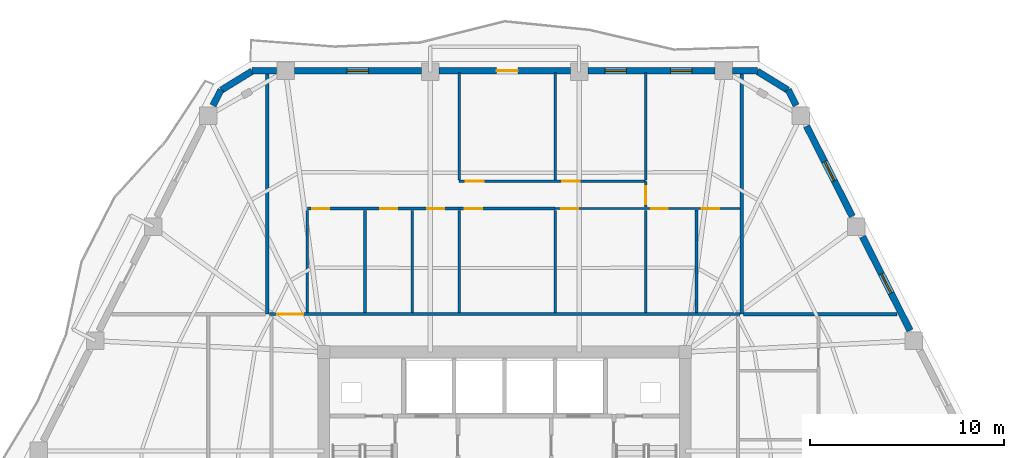
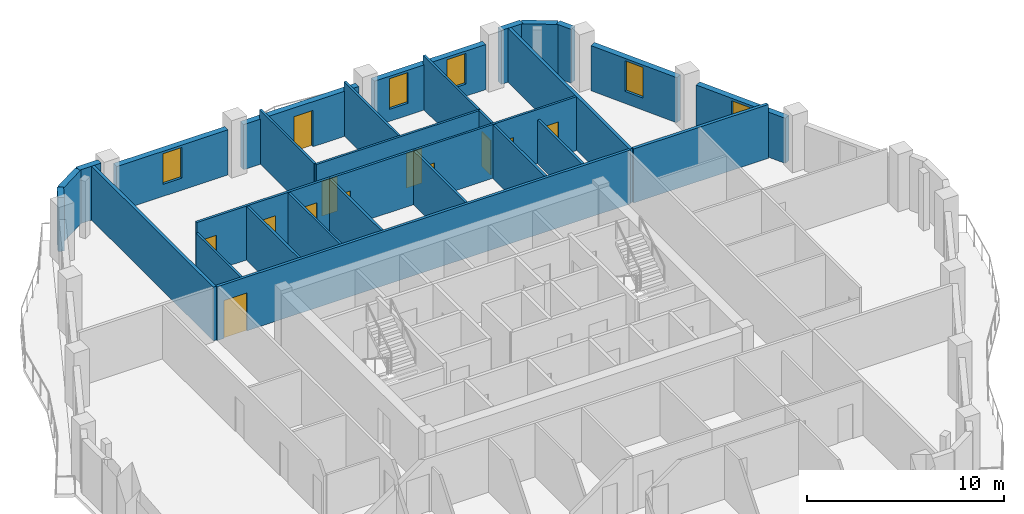
# One storey, part 7 of 10: 30 walls, 12 doors, 5 windows, 17 openings.
"""IFC4 building model written with IfcOpenShell, lengths in metres."""

from ifc_helpers import new_model, si_unit, direction, frame, frame_2d, origin, place, context, subcontext, project, spatial, rectangle, extrude, material, layer, layer_set, type_object, element, fill, save


model = new_model("IFC4")

# Units and contexts
model_context = context("Model", 3, precision=1e-05, world=origin(), true_north=direction((0.0, 1.0)))
body_context = subcontext(model_context, "Body", "Model", "MODEL_VIEW")
ifc_project = project(units=[si_unit("LENGTHUNIT", "METRE"), si_unit("AREAUNIT", "SQUARE_METRE"), si_unit("VOLUMEUNIT", "CUBIC_METRE"), si_unit("PLANEANGLEUNIT", "RADIAN"), si_unit("MASSUNIT", "GRAM", prefix="KILO")], contexts=[model_context])

# Site, building, storey
site_placement = place(None, origin())
site = spatial("IfcSite", under=ifc_project, at=site_placement, CompositionType="ELEMENT")
building_placement = place(site_placement, origin())
building = spatial("IfcBuilding", under=site, at=building_placement, Name="Cinnabar Lancet Tower", CompositionType="ELEMENT")
storey_placement = place(building_placement, frame((0.0, 0.0, 164.14990234375)))
storey = spatial("IfcBuildingStorey", under=building, at=storey_placement, Name="L43", CompositionType="ELEMENT", Elevation=164.14990234375)

# Wall, opening, door
ifc_material_1 = material(Name="Acoustic twin-stud gypsum partition", Category="gypsum")
ifc_layer_1 = layer(ifc_material_1, 0.159912109375)
ifc_layer_set_1 = layer_set([ifc_layer_1], Name="Acoustic twin-stud gypsum partition")
wall_type_1 = type_object("IfcWallType", Name="ARC-WL-CORR-160", PredefinedType="PARTITIONING", material=ifc_layer_set_1)
wall_1_placement = place(storey_placement, frame((20.294921875, 35.14990234375, 0.0), z_axis=(0.0, 0.0, 1.0), x_axis=(1.0, 0.0, 0.0)))
wall_1 = element("IfcWall", 1, at=wall_1_placement, inside=storey, type_object=wall_type_1, Name="L43 Unit N01 Corridor Wall", PredefinedType="PARTITIONING", context=body_context, shape_type="SweptSolid", body=[
    extrude(rectangle(XDim=24.2099609375, YDim=0.159912109375, at=frame_2d((12.10498046875, 0.0))), origin(), (0.0, 0.0, 1.0), 3.340087890625),
])
opening_1_placement = place(wall_1_placement, frame((0.405029296875, 0.0, 0.0)))
opening_1 = element("IfcOpeningElement", 2, at=opening_1_placement, cuts=wall_1, Name="Opening UD-02", PredefinedType="OPENING", context=body_context, shape_type="SweptSolid", body=[
    extrude(rectangle(XDim=1.35009765625, YDim=2.35009765625, at=frame_2d((0.675048828125, 1.175048828125))), frame((0.0, 0.08984375, 0.0), z_axis=(0.0, -1.0, 0.0), x_axis=(1.0, 0.0, 0.0)), (0.0, 0.0, 1.0), 0.179931640625),
])
ifc_material_2 = material(Name="Double-leaf solid timber penthouse entrance door", Category="wood")
door_type_1 = type_object("IfcDoorType", Name="ARC-DR-UNIT-PH", OperationType="NOTDEFINED", PredefinedType="DOOR", material=ifc_material_2)
door_1_placement = place(opening_1_placement, origin())
door_1 = element("IfcDoor", 3, at=door_1_placement, inside=storey, type_object=door_type_1, Name="DR-L43-N01-ENT", OperationType="SINGLE_SWING_LEFT", OverallHeight=2.35009765625, OverallWidth=1.35009765625, PredefinedType="DOOR", context=body_context, shape_type="SweptSolid", body=[
    extrude(rectangle(XDim=1.35009765625, YDim=2.35009765625, at=frame_2d((0.675048828125, 1.175048828125))), frame((0.0, 0.02490234375, 0.0), z_axis=(0.0, -1.0, 0.0), x_axis=(1.0, 0.0, 0.0)), (0.0, 0.0, 1.0), 0.050048828125),
])
fill(opening_1, door_1)

# Walls
ifc_material_3 = material(Name="Fire-rated twin-frame acoustic drywall", Category="gypsum")
ifc_layer_2 = layer(ifc_material_3, 0.179931640625)
ifc_layer_set_2 = layer_set([ifc_layer_2], Name="Fire-rated twin-frame acoustic drywall")
wall_type_2 = type_object("IfcWallType", Name="ARC-WL-PARTY-180", PredefinedType="PARTITIONING", material=ifc_layer_set_2)
for number, where, z_axis, x_axis, name in (
    (4, (20.199951171875, 35.14990234375, 0.0), (0.0, 0.0, 1.0), (0.0, 1.0, 0.0), "PW-L43-NPTY-202"),
    (5, (44.60009765625, 35.14990234375, 0.0), (0.0, 0.0, 1.0), (0.0, 1.0, 0.0), "PW-L43-NPTY-446"),
):
    element("IfcWall", number, at=place(storey_placement, frame(where, z_axis=z_axis, x_axis=x_axis)), inside=storey, type_object=wall_type_2, Name=name, PredefinedType="PARTITIONING", context=body_context, shape_type="SweptSolid", body=[
        extrude(rectangle(XDim=12.34521484375, YDim=0.179931640625, at=frame_2d((6.172607421875, 0.0))), origin(), (0.0, 0.0, 1.0), 3.340087890625),
    ])
wall_2_placement = place(storey_placement, frame((44.695068359375, 35.14990234375, 0.0), z_axis=(0.0, 0.0, 1.0), x_axis=(1.0, 0.0, 0.0)))
element("IfcWall", 6, at=wall_2_placement, inside=storey, type_object=wall_type_2, Name="PW-L43-ENB", PredefinedType="PARTITIONING", context=body_context, shape_type="SweptSolid", body=[
    extrude(rectangle(XDim=7.89501953125, YDim=0.179931640625, at=frame_2d((3.947509765625, 0.0))), origin(), (0.0, 0.0, 1.0), 3.340087890625),
])
ifc_material_4 = material(Name="Gypsum plasterboard stud partition", Category="gypsum")
ifc_layer_3 = layer(ifc_material_4, 0.125)
ifc_layer_set_3 = layer_set([ifc_layer_3], Name="Gypsum plasterboard stud partition")
wall_type_3 = type_object("IfcWallType", Name="ARC-WL-UNIT-125", PredefinedType="PARTITIONING", material=ifc_layer_set_3)
wall_3_placement = place(storey_placement, frame((22.25, 35.235107421875, 0.0), z_axis=(0.0, 0.0, 1.0), x_axis=(0.0, 1.0, 0.0)))
element("IfcWall", 7, at=wall_3_placement, inside=storey, type_object=wall_type_3, Name="UW-L43-N01-FOYE", PredefinedType="PARTITIONING", context=body_context, shape_type="SweptSolid", body=[
    extrude(rectangle(XDim=5.241943359375, YDim=0.125, at=frame_2d((2.62109375, 0.0))), origin(), (0.0, 0.0, 1.0), 2.72216796875),
])

# Wall, openings, doors
wall_4_placement = place(storey_placement, frame((35.0048828125, 40.58203125, 0.0), z_axis=(0.0, 0.0, 1.0), x_axis=(1.0, 0.0, 0.0)))
wall_4 = element("IfcWall", 8, at=wall_4_placement, inside=storey, type_object=wall_type_3, Name="UW-L43-N01-SP2", PredefinedType="PARTITIONING", context=body_context, shape_type="SweptSolid", body=[
    extrude(rectangle(XDim=9.5, YDim=0.125, at=frame_2d((4.75, 0.0))), origin(), (0.0, 0.0, 1.0), 3.340087890625),
])
opening_2_placement = place(wall_4_placement, frame((4.931884765625, 0.0, 0.0)))
opening_2 = element("IfcOpeningElement", 9, at=opening_2_placement, cuts=wall_4, Name="Opening BD-01", PredefinedType="OPENING", context=body_context, shape_type="SweptSolid", body=[
    extrude(rectangle(XDim=0.860107421875, YDim=2.10009765625, at=frame_2d((0.43017578125, 1.050048828125))), frame((0.0, 0.072509765625, 0.0), z_axis=(0.0, -1.0, 0.0), x_axis=(1.0, 0.0, 0.0)), (0.0, 0.0, 1.0), 0.14501953125),
])
opening_3_placement = place(wall_4_placement, frame((7.550048828125, 0.0, 0.0)))
opening_3 = element("IfcOpeningElement", 10, at=opening_3_placement, cuts=wall_4, Name="Opening RD-02", PredefinedType="OPENING", context=body_context, shape_type="SweptSolid", body=[
    extrude(rectangle(XDim=0.8798828125, YDim=2.14990234375, at=frame_2d((0.43994140625, 1.074951171875))), frame((0.0, 0.072509765625, 0.0), z_axis=(0.0, -1.0, 0.0), x_axis=(1.0, 0.0, 0.0)), (0.0, 0.0, 1.0), 0.14501953125),
])
opening_4_placement = place(wall_4_placement, frame((0.300048828125, 0.0, 0.0)))
opening_4 = element("IfcOpeningElement", 11, at=opening_4_placement, cuts=wall_4, Name="Opening RD-02", PredefinedType="OPENING", context=body_context, shape_type="SweptSolid", body=[
    extrude(rectangle(XDim=0.8798828125, YDim=2.14990234375, at=frame_2d((0.43994140625, 1.074951171875))), frame((0.0, 0.072509765625, 0.0), z_axis=(0.0, -1.0, 0.0), x_axis=(1.0, 0.0, 0.0)), (0.0, 0.0, 1.0), 0.14501953125),
])
ifc_material_5 = material(Name="Moisture-resistant timber bathroom door", Category="wood")
door_type_2 = type_object("IfcDoorType", Name="ARC-DR-BATH", OperationType="NOTDEFINED", PredefinedType="DOOR", material=ifc_material_5)
door_2_placement = place(opening_2_placement, origin())
door_2 = element("IfcDoor", 12, at=door_2_placement, inside=storey, type_object=door_type_2, Name="DR-L43-N01-ENS", OperationType="SINGLE_SWING_RIGHT", OverallHeight=2.10009765625, OverallWidth=0.860107421875, PredefinedType="DOOR", context=body_context, shape_type="SweptSolid", body=[
    extrude(rectangle(XDim=0.860107421875, YDim=2.10009765625, at=frame_2d((0.43017578125, 1.050048828125))), frame((0.0, 0.02490234375, 0.0), z_axis=(0.0, -1.0, 0.0), x_axis=(1.0, 0.0, 0.0)), (0.0, 0.0, 1.0), 0.050048828125),
])
fill(opening_2, door_2)
ifc_material_6 = material(Name="Engineered timber study door", Category="wood")
door_type_3 = type_object("IfcDoorType", Name="ARC-DR-STUDY", OperationType="NOTDEFINED", PredefinedType="DOOR", material=ifc_material_6)
door_3_placement = place(opening_3_placement, origin())
door_3 = element("IfcDoor", 13, at=door_3_placement, inside=storey, type_object=door_type_3, Name="DR-L43-N01-ENS-WDR", OperationType="SINGLE_SWING_LEFT", OverallHeight=2.14990234375, OverallWidth=0.8798828125, PredefinedType="DOOR", context=body_context, shape_type="SweptSolid", body=[
    extrude(rectangle(XDim=0.8798828125, YDim=2.14990234375, at=frame_2d((0.43994140625, 1.074951171875))), frame((0.0, 0.02490234375, 0.0), z_axis=(0.0, -1.0, 0.0), x_axis=(1.0, 0.0, 0.0)), (0.0, 0.0, 1.0), 0.050048828125),
])
fill(opening_3, door_3)
door_4_placement = place(opening_4_placement, origin())
door_4 = element("IfcDoor", 14, at=door_4_placement, inside=storey, type_object=door_type_3, Name="DR-L43-N01-DRS", OperationType="SINGLE_SWING_LEFT", OverallHeight=2.14990234375, OverallWidth=0.8798828125, PredefinedType="DOOR", context=body_context, shape_type="SweptSolid", body=[
    extrude(rectangle(XDim=0.8798828125, YDim=2.14990234375, at=frame_2d((0.43994140625, 1.074951171875))), frame((0.0, 0.02490234375, 0.0), z_axis=(0.0, -1.0, 0.0), x_axis=(1.0, 0.0, 0.0)), (0.0, 0.0, 1.0), 0.050048828125),
])
fill(opening_4, door_4)

# Walls
wall_5_placement = place(storey_placement, frame((27.639892578125, 35.235107421875, 0.0), z_axis=(0.0, 0.0, 1.0), x_axis=(0.0, 1.0, 0.0)))
element("IfcWall", 15, at=wall_5_placement, inside=storey, type_object=wall_type_3, Name="UW-L43-N01-STD", PredefinedType="PARTITIONING", context=body_context, shape_type="SweptSolid", body=[
    extrude(rectangle(XDim=5.241943359375, YDim=0.125, at=frame_2d((2.62109375, 0.0))), origin(), (0.0, 0.0, 1.0), 3.340087890625),
])
wall_6_placement = place(storey_placement, frame((30.06201171875, 42.047119140625, 0.0), z_axis=(0.0, 0.0, 1.0), x_axis=(0.0, 1.0, 0.0)))
element("IfcWall", 16, at=wall_6_placement, inside=storey, type_object=wall_type_3, Name="UW-L43-N01-BD2W", PredefinedType="PARTITIONING", context=body_context, shape_type="SweptSolid", body=[
    extrude(rectangle(XDim=5.537841796875, YDim=0.125, at=frame_2d((2.76904296875, 0.0))), origin(), (0.0, 0.0, 1.0), 3.340087890625),
])

# Wall, openings, doors
wall_7_placement = place(storey_placement, frame((30.06201171875, 41.98193359375, 0.0), z_axis=(0.0, 0.0, 1.0), x_axis=(1.0, 0.0, 0.0)))
wall_7 = element("IfcWall", 17, at=wall_7_placement, inside=storey, type_object=wall_type_3, Name="UW-L43-N01-HLN", PredefinedType="PARTITIONING", context=body_context, shape_type="SweptSolid", body=[
    extrude(rectangle(XDim=9.594970703125, YDim=0.125, at=frame_2d((4.79736328125, 0.0))), origin(), (0.0, 0.0, 1.0), 3.340087890625),
])
opening_5_placement = place(wall_7_placement, frame((0.35009765625, 0.0, 0.0)))
opening_5 = element("IfcOpeningElement", 18, at=opening_5_placement, cuts=wall_7, Name="Opening RD-01", PredefinedType="OPENING", context=body_context, shape_type="SweptSolid", body=[
    extrude(rectangle(XDim=0.919921875, YDim=2.14990234375, at=frame_2d((0.4599609375, 1.074951171875))), frame((0.0, 0.072509765625, 0.0), z_axis=(0.0, -1.0, 0.0), x_axis=(1.0, 0.0, 0.0)), (0.0, 0.0, 1.0), 0.14501953125),
])
opening_6_placement = place(wall_7_placement, frame((5.29296875, 0.0, 0.0)))
opening_6 = element("IfcOpeningElement", 19, at=opening_6_placement, cuts=wall_7, Name="Opening RD-01", PredefinedType="OPENING", context=body_context, shape_type="SweptSolid", body=[
    extrude(rectangle(XDim=0.919921875, YDim=2.14990234375, at=frame_2d((0.4599609375, 1.074951171875))), frame((0.0, 0.072509765625, 0.0), z_axis=(0.0, -1.0, 0.0), x_axis=(1.0, 0.0, 0.0)), (0.0, 0.0, 1.0), 0.14501953125),
])
ifc_material_7 = material(Name="Engineered timber bedroom door", Category="wood")
door_type_4 = type_object("IfcDoorType", Name="ARC-DR-ROOM", OperationType="NOTDEFINED", PredefinedType="DOOR", material=ifc_material_7)
door_5_placement = place(opening_5_placement, origin())
door_5 = element("IfcDoor", 20, at=door_5_placement, inside=storey, type_object=door_type_4, Name="DR-L43-N01-BD2", OperationType="SINGLE_SWING_RIGHT", OverallHeight=2.14990234375, OverallWidth=0.919921875, PredefinedType="DOOR", context=body_context, shape_type="SweptSolid", body=[
    extrude(rectangle(XDim=0.919921875, YDim=2.14990234375, at=frame_2d((0.4599609375, 1.074951171875))), frame((0.0, 0.02490234375, 0.0), z_axis=(0.0, -1.0, 0.0), x_axis=(1.0, 0.0, 0.0)), (0.0, 0.0, 1.0), 0.050048828125),
])
fill(opening_5, door_5)
door_6_placement = place(opening_6_placement, origin())
door_6 = element("IfcDoor", 21, at=door_6_placement, inside=storey, type_object=door_type_4, Name="DR-L43-N01-BD3", OperationType="SINGLE_SWING_LEFT", OverallHeight=2.14990234375, OverallWidth=0.919921875, PredefinedType="DOOR", context=body_context, shape_type="SweptSolid", body=[
    extrude(rectangle(XDim=0.919921875, YDim=2.14990234375, at=frame_2d((0.4599609375, 1.074951171875))), frame((0.0, 0.02490234375, 0.0), z_axis=(0.0, -1.0, 0.0), x_axis=(1.0, 0.0, 0.0)), (0.0, 0.0, 1.0), 0.050048828125),
])
fill(opening_6, door_6)

# Wall, opening, door
wall_8_placement = place(storey_placement, frame((39.656982421875, 40.652099609375, 0.0), z_axis=(0.0, 0.0, 1.0), x_axis=(0.0, 1.0, 0.0)))
wall_8 = element("IfcWall", 22, at=wall_8_placement, inside=storey, type_object=wall_type_3, Name="UW-L43-N01-MBE", PredefinedType="PARTITIONING", context=body_context, shape_type="SweptSolid", body=[
    extrude(rectangle(XDim=1.329833984375, YDim=0.125, at=frame_2d((0.6650390625, 0.0))), origin(), (0.0, 0.0, 1.0), 3.340087890625),
])
opening_7_placement = place(wall_8_placement, frame((0.159912109375, 0.0, 0.0)))
opening_7 = element("IfcOpeningElement", 23, at=opening_7_placement, cuts=wall_8, Name="Opening RD-01", PredefinedType="OPENING", context=body_context, shape_type="SweptSolid", body=[
    extrude(rectangle(XDim=0.919921875, YDim=2.14990234375, at=frame_2d((0.4599609375, 1.074951171875))), frame((0.0, 0.072509765625, 0.0), z_axis=(0.0, -1.0, 0.0), x_axis=(1.0, 0.0, 0.0)), (0.0, 0.0, 1.0), 0.14501953125),
])
door_7_placement = place(opening_7_placement, origin())
door_7 = element("IfcDoor", 24, at=door_7_placement, inside=storey, type_object=door_type_4, Name="DR-L43-N01-MBD", OperationType="SINGLE_SWING_RIGHT", OverallHeight=2.14990234375, OverallWidth=0.919921875, PredefinedType="DOOR", context=body_context, shape_type="SweptSolid", body=[
    extrude(rectangle(XDim=0.919921875, YDim=2.14990234375, at=frame_2d((0.4599609375, 1.074951171875))), frame((0.0, 0.02490234375, 0.0), z_axis=(0.0, -1.0, 0.0), x_axis=(1.0, 0.0, 0.0)), (0.0, 0.0, 1.0), 0.050048828125),
])
fill(opening_7, door_7)

# Walls
for number, where, z_axis, x_axis, name in (
    (25, (35.0048828125, 42.047119140625, 0.0), (0.0, 0.0, 1.0), (0.0, 1.0, 0.0), "UW-L43-N01-MB2W"),
    (26, (39.656982421875, 42.047119140625, 0.0), (0.0, 0.0, 1.0), (0.0, 1.0, 0.0), "UW-L43-N01-B23W"),
):
    element("IfcWall", number, at=place(storey_placement, frame(where, z_axis=z_axis, x_axis=x_axis)), inside=storey, type_object=wall_type_3, Name=name, PredefinedType="PARTITIONING", context=body_context, shape_type="SweptSolid", body=[
        extrude(rectangle(XDim=5.537841796875, YDim=0.125, at=frame_2d((2.76904296875, 0.0))), origin(), (0.0, 0.0, 1.0), 3.340087890625),
    ])

# Wall, openings, doors
ifc_material_8 = material(Name="Moisture-resistant cement-board plumbing wall", Category="masonry")
ifc_layer_4 = layer(ifc_material_8, 0.139892578125)
ifc_layer_set_4 = layer_set([ifc_layer_4], Name="Moisture-resistant cement-board plumbing wall")
wall_type_4 = type_object("IfcWallType", Name="ARC-WL-WET-140", PredefinedType="PLUMBINGWALL", material=ifc_layer_set_4)
wall_9_placement = place(storey_placement, frame((22.25, 40.58203125, 0.0), z_axis=(0.0, 0.0, 1.0), x_axis=(1.0, 0.0, 0.0)))
wall_9 = element("IfcWall", 27, at=wall_9_placement, inside=storey, type_object=wall_type_4, Name="UW-L43-N01-SPL", PredefinedType="PLUMBINGWALL", context=body_context, shape_type="SweptSolid", body=[
    extrude(rectangle(XDim=7.81201171875, YDim=0.139892578125, at=frame_2d((3.906005859375, 0.0))), origin(), (0.0, 0.0, 1.0), 3.340087890625),
])
opening_8_placement = place(wall_9_placement, frame((6.176025390625, 0.0, 0.0)))
opening_8 = element("IfcOpeningElement", 28, at=opening_8_placement, cuts=wall_9, Name="Opening BD-01", PredefinedType="OPENING", context=body_context, shape_type="SweptSolid", body=[
    extrude(rectangle(XDim=0.860107421875, YDim=2.10009765625, at=frame_2d((0.43017578125, 1.050048828125))), frame((0.0, 0.079833984375, 0.0), z_axis=(0.0, -1.0, 0.0), x_axis=(1.0, 0.0, 0.0)), (0.0, 0.0, 1.0), 0.159912109375),
])
opening_9_placement = place(wall_9_placement, frame((0.260009765625, 0.0, 0.0)))
opening_9 = element("IfcOpeningElement", 29, at=opening_9_placement, cuts=wall_9, Name="Opening RD-02", PredefinedType="OPENING", context=body_context, shape_type="SweptSolid", body=[
    extrude(rectangle(XDim=0.8798828125, YDim=2.14990234375, at=frame_2d((0.43994140625, 1.074951171875))), frame((0.0, 0.079833984375, 0.0), z_axis=(0.0, -1.0, 0.0), x_axis=(1.0, 0.0, 0.0)), (0.0, 0.0, 1.0), 0.159912109375),
])
opening_10_placement = place(wall_9_placement, frame((3.739990234375, 0.0, 0.0)))
opening_10 = element("IfcOpeningElement", 30, at=opening_10_placement, cuts=wall_9, Name="Opening RD-02", PredefinedType="OPENING", context=body_context, shape_type="SweptSolid", body=[
    extrude(rectangle(XDim=0.8798828125, YDim=2.14990234375, at=frame_2d((0.43994140625, 1.074951171875))), frame((0.0, 0.079833984375, 0.0), z_axis=(0.0, -1.0, 0.0), x_axis=(1.0, 0.0, 0.0)), (0.0, 0.0, 1.0), 0.159912109375),
])
door_8_placement = place(opening_8_placement, origin())
door_8 = element("IfcDoor", 31, at=door_8_placement, inside=storey, type_object=door_type_2, Name="DR-L43-N01-BTH", OperationType="SINGLE_SWING_RIGHT", OverallHeight=2.10009765625, OverallWidth=0.860107421875, PredefinedType="DOOR", context=body_context, shape_type="SweptSolid", body=[
    extrude(rectangle(XDim=0.860107421875, YDim=2.10009765625, at=frame_2d((0.43017578125, 1.050048828125))), frame((0.0, 0.02490234375, 0.0), z_axis=(0.0, -1.0, 0.0), x_axis=(1.0, 0.0, 0.0)), (0.0, 0.0, 1.0), 0.050048828125),
])
fill(opening_8, door_8)
door_9_placement = place(opening_9_placement, origin())
door_9 = element("IfcDoor", 32, at=door_9_placement, inside=storey, type_object=door_type_3, Name="DR-L43-N01-KIT", OperationType="SINGLE_SWING_RIGHT", OverallHeight=2.14990234375, OverallWidth=0.8798828125, PredefinedType="DOOR", context=body_context, shape_type="SweptSolid", body=[
    extrude(rectangle(XDim=0.8798828125, YDim=2.14990234375, at=frame_2d((0.43994140625, 1.074951171875))), frame((0.0, 0.02490234375, 0.0), z_axis=(0.0, -1.0, 0.0), x_axis=(1.0, 0.0, 0.0)), (0.0, 0.0, 1.0), 0.050048828125),
])
fill(opening_9, door_9)
door_10_placement = place(opening_10_placement, origin())
door_10 = element("IfcDoor", 33, at=door_10_placement, inside=storey, type_object=door_type_3, Name="DR-L43-N01-STD", OperationType="SINGLE_SWING_LEFT", OverallHeight=2.14990234375, OverallWidth=0.8798828125, PredefinedType="DOOR", context=body_context, shape_type="SweptSolid", body=[
    extrude(rectangle(XDim=0.8798828125, YDim=2.14990234375, at=frame_2d((0.43994140625, 1.074951171875))), frame((0.0, 0.02490234375, 0.0), z_axis=(0.0, -1.0, 0.0), x_axis=(1.0, 0.0, 0.0)), (0.0, 0.0, 1.0), 0.050048828125),
])
fill(opening_10, door_10)

# Wall, opening, door
wall_10_placement = place(storey_placement, frame((30.06201171875, 40.58203125, 0.0), z_axis=(0.0, 0.0, 1.0), x_axis=(1.0, 0.0, 0.0)))
wall_10 = element("IfcWall", 34, at=wall_10_placement, inside=storey, type_object=wall_type_4, Name="UW-L43-N01-SPM", PredefinedType="PLUMBINGWALL", context=body_context, shape_type="SweptSolid", body=[
    extrude(rectangle(XDim=4.94287109375, YDim=0.139892578125, at=frame_2d((2.471435546875, 0.0))), origin(), (0.0, 0.0, 1.0), 3.340087890625),
])
opening_11_placement = place(wall_10_placement, frame((0.300048828125, 0.0, 0.0)))
opening_11 = element("IfcOpeningElement", 35, at=opening_11_placement, cuts=wall_10, Name="Opening RD-02", PredefinedType="OPENING", context=body_context, shape_type="SweptSolid", body=[
    extrude(rectangle(XDim=0.8798828125, YDim=2.14990234375, at=frame_2d((0.43994140625, 1.074951171875))), frame((0.0, 0.079833984375, 0.0), z_axis=(0.0, -1.0, 0.0), x_axis=(1.0, 0.0, 0.0)), (0.0, 0.0, 1.0), 0.159912109375),
])
door_11_placement = place(opening_11_placement, origin())
door_11 = element("IfcDoor", 36, at=door_11_placement, inside=storey, type_object=door_type_3, Name="DR-L43-N01-UTL", OperationType="SINGLE_SWING_LEFT", OverallHeight=2.14990234375, OverallWidth=0.8798828125, PredefinedType="DOOR", context=body_context, shape_type="SweptSolid", body=[
    extrude(rectangle(XDim=0.8798828125, YDim=2.14990234375, at=frame_2d((0.43994140625, 1.074951171875))), frame((0.0, 0.02490234375, 0.0), z_axis=(0.0, -1.0, 0.0), x_axis=(1.0, 0.0, 0.0)), (0.0, 0.0, 1.0), 0.050048828125),
])
fill(opening_11, door_11)

# Walls
for number, where, z_axis, x_axis, name in (
    (37, (25.218994140625, 35.235107421875, 0.0), (0.0, 0.0, 1.0), (0.0, 1.0, 0.0), "UW-L43-N01-KDV"),
    (38, (30.06201171875, 35.235107421875, 0.0), (0.0, 0.0, 1.0), (0.0, 1.0, 0.0), "UW-L43-N01-ENSW"),
    (39, (35.0048828125, 35.235107421875, 0.0), (0.0, 0.0, 1.0), (0.0, 1.0, 0.0), "UW-L43-N01-ENSE"),
    (40, (39.656982421875, 35.235107421875, 0.0), (0.0, 0.0, 1.0), (0.0, 1.0, 0.0), "UW-L43-N01-UT3"),
):
    element("IfcWall", number, at=place(storey_placement, frame(where, z_axis=z_axis, x_axis=x_axis)), inside=storey, type_object=wall_type_4, Name=name, PredefinedType="PLUMBINGWALL", context=body_context, shape_type="SweptSolid", body=[
        extrude(rectangle(XDim=5.241943359375, YDim=0.139892578125, at=frame_2d((2.62109375, 0.0))), origin(), (0.0, 0.0, 1.0), 3.340087890625),
    ])
wall_11_placement = place(storey_placement, frame((42.27490234375, 35.235107421875, 0.0), z_axis=(0.0, 0.0, 1.0), x_axis=(0.0, 1.0, 0.0)))
element("IfcWall", 41, at=wall_11_placement, inside=storey, type_object=wall_type_4, Name="UW-L43-N01-ENS-WDV", PredefinedType="PLUMBINGWALL", context=body_context, shape_type="SweptSolid", body=[
    extrude(rectangle(XDim=5.261962890625, YDim=0.139892578125, at=frame_2d((2.630859375, 0.0))), origin(), (0.0, 0.0, 1.0), 2.72216796875),
])
ifc_material_9 = material(Name="Cinnabar red clay brick", Category="masonry")
ifc_layer_5 = layer(ifc_material_9, 0.340087890625)
ifc_layer_set_5 = layer_set([ifc_layer_5], Name="Cinnabar red clay brick")
wall_type_5 = type_object("IfcWallType", Name="ENV-WL-BRK-RED-340", PredefinedType="STANDARD", material=ifc_layer_set_5)
for number, where, z_axis, x_axis, name in (
    (42, (46.970947265625, 46.677001953125, 0.0), (0.0, 0.0, 1.0), (-0.851798915137, 0.523868884523, 0.0), "L43 Chamfered Corner Brick Pier 4.1"),
    (43, (19.403076171875, 47.64501953125, 0.0), (0.0, 0.0, 1.0), (-0.851798915137, -0.523868884523, 0.0), "L43 Chamfered Corner Brick Pier 5.1"),
):
    element("IfcWall", number, at=place(storey_placement, frame(where, z_axis=z_axis, x_axis=x_axis)), inside=storey, type_object=wall_type_5, Name=name, PredefinedType="STANDARD", context=body_context, shape_type="SweptSolid", body=[
        extrude(rectangle(XDim=1.847900390625, YDim=0.340087890625, at=frame_2d((0.923828125, 0.0))), origin(), (0.0, 0.0, 1.0), 3.340087890625),
    ])

# Wall, opening, window
wall_12_placement = place(storey_placement, frame((53.258056640625, 34.306884765625, 0.0), z_axis=(0.0, 0.0, 1.0), x_axis=(-0.451491174807, 0.892275584711, 0.0)))
wall_12 = element("IfcWall", 44, at=wall_12_placement, inside=storey, type_object=wall_type_5, Name="L43 Face 3 Masonry Bay Wall 3", PredefinedType="STANDARD", context=body_context, shape_type="SweptSolid", body=[
    extrude(rectangle(XDim=5.404296875, YDim=0.340087890625, at=frame_2d((2.7021484375, 0.0))), origin(), (0.0, 0.0, 1.0), 2.797119140625),
])
opening_12_placement = place(wall_12_placement, frame((2.152099609375, 0.0, 0.75)))
opening_12 = element("IfcOpeningElement", 45, at=opening_12_placement, cuts=wall_12, Name="Opening WN-04", PredefinedType="OPENING", context=body_context, shape_type="SweptSolid", body=[
    extrude(rectangle(XDim=1.10009765625, YDim=1.89697265625, at=frame_2d((0.550048828125, 0.948486328125))), frame((0.0, 0.179931640625, 0.0), z_axis=(0.0, -1.0, 0.0), x_axis=(1.0, 0.0, 0.0)), (0.0, 0.0, 1.0), 0.360107421875),
])
ifc_material_10 = material(Name="Thermally broken bronze-anodized aluminium tall lancet window", Category="aluminium")
window_type = type_object("IfcWindowType", Name="ENV-WN-LANCET-1100", PartitioningType="SINGLE_PANEL", PredefinedType="WINDOW", material=ifc_material_10)
window_1_placement = place(opening_12_placement, origin())
window_1 = element("IfcWindow", 46, at=window_1_placement, inside=storey, type_object=window_type, Name="L43 Face 3 Gothic Lancet Window 3", OverallHeight=1.89697265625, OverallWidth=1.10009765625, PartitioningType="SINGLE_PANEL", PredefinedType="WINDOW", context=body_context, shape_type="SweptSolid", body=[
    extrude(rectangle(XDim=1.10009765625, YDim=1.89697265625, at=frame_2d((0.550048828125, 0.948486328125))), frame((0.0, 0.030029296875, 0.0), z_axis=(0.0, -1.0, 0.0), x_axis=(1.0, 0.0, 0.0)), (0.0, 0.0, 1.0), 0.06005859375),
])
fill(opening_12, window_1)

wall_13_placement = place(storey_placement, frame((50.2890625, 40.176025390625, 0.0), z_axis=(0.0, 0.0, 1.0), x_axis=(-0.451595734115, 0.892222670038, 0.0)))
wall_13 = element("IfcWall", 47, at=wall_13_placement, inside=storey, type_object=wall_type_5, Name="L43 Face 3 Masonry Bay Wall 4", PredefinedType="STANDARD", context=body_context, shape_type="SweptSolid", body=[
    extrude(rectangle(XDim=5.208251953125, YDim=0.340087890625, at=frame_2d((2.60400390625, 0.0))), origin(), (0.0, 0.0, 1.0), 2.797119140625),
])
opening_13_placement = place(wall_13_placement, frame((2.053955078125, 0.0, 0.75)))
opening_13 = element("IfcOpeningElement", 48, at=opening_13_placement, cuts=wall_13, Name="Opening WN-04", PredefinedType="OPENING", context=body_context, shape_type="SweptSolid", body=[
    extrude(rectangle(XDim=1.10009765625, YDim=1.89697265625, at=frame_2d((0.550048828125, 0.948486328125))), frame((0.0, 0.179931640625, 0.0), z_axis=(0.0, -1.0, 0.0), x_axis=(1.0, 0.0, 0.0)), (0.0, 0.0, 1.0), 0.360107421875),
])
window_2_placement = place(opening_13_placement, origin())
window_2 = element("IfcWindow", 49, at=window_2_placement, inside=storey, type_object=window_type, Name="L43 Face 3 Gothic Lancet Window 4", OverallHeight=1.89697265625, OverallWidth=1.10009765625, PartitioningType="SINGLE_PANEL", PredefinedType="WINDOW", context=body_context, shape_type="SweptSolid", body=[
    extrude(rectangle(XDim=1.10009765625, YDim=1.89697265625, at=frame_2d((0.550048828125, 0.948486328125))), frame((0.0, 0.030029296875, 0.0), z_axis=(0.0, -1.0, 0.0), x_axis=(1.0, 0.0, 0.0)), (0.0, 0.0, 1.0), 0.06005859375),
])
fill(opening_13, window_2)

# Walls
wall_14_placement = place(storey_placement, frame((47.39990234375, 45.885009765625, 0.0), z_axis=(0.0, 0.0, 1.0), x_axis=(-0.451521436551, 0.892260271633, 0.0)))
element("IfcWall", 50, at=wall_14_placement, inside=storey, type_object=wall_type_5, Name="L43 Face 3 Masonry Bay Wall 5", PredefinedType="STANDARD", context=body_context, shape_type="SweptSolid", body=[
    extrude(rectangle(XDim=0.90576171875, YDim=0.340087890625, at=frame_2d((0.452880859375, 0.0))), origin(), (0.0, 0.0, 1.0), 3.340087890625),
])
wall_15_placement = place(storey_placement, frame((45.402099609375, 47.669921875, 0.0), z_axis=(0.0, 0.0, 1.0), x_axis=(-1.0, 0.0, 0.0)))
element("IfcWall", 51, at=wall_15_placement, inside=storey, type_object=wall_type_5, Name="L43 Face 4 Masonry Bay Wall 1", PredefinedType="STANDARD", context=body_context, shape_type="SweptSolid", body=[
    extrude(rectangle(XDim=1.279052734375, YDim=0.340087890625, at=frame_2d((0.6396484375, 0.0))), origin(), (0.0, 0.0, 1.0), 3.340087890625),
])

# Wall, openings, windows
wall_16_placement = place(storey_placement, frame((43.215087890625, 47.669921875, 0.0), z_axis=(0.0, 0.0, 1.0), x_axis=(-1.0, 0.0, 0.0)))
wall_16 = element("IfcWall", 52, at=wall_16_placement, inside=storey, type_object=wall_type_5, Name="L43 Face 4 Masonry Bay Wall 2", PredefinedType="STANDARD", context=body_context, shape_type="SweptSolid", body=[
    extrude(rectangle(XDim=6.529052734375, YDim=0.340087890625, at=frame_2d((3.2646484375, 0.0))), origin(), (0.0, 0.0, 1.0), 2.797119140625),
])
opening_14_placement = place(wall_16_placement, frame((1.173095703125, 0.0, 0.75)))
opening_14 = element("IfcOpeningElement", 53, at=opening_14_placement, cuts=wall_16, Name="Opening WN-04", PredefinedType="OPENING", context=body_context, shape_type="SweptSolid", body=[
    extrude(rectangle(XDim=1.10009765625, YDim=1.89697265625, at=frame_2d((0.550048828125, 0.948486328125))), frame((0.0, 0.179931640625, 0.0), z_axis=(0.0, -1.0, 0.0), x_axis=(1.0, 0.0, 0.0)), (0.0, 0.0, 1.0), 0.360107421875),
])
opening_15_placement = place(wall_16_placement, frame((4.550048828125, 0.0, 0.75)))
opening_15 = element("IfcOpeningElement", 54, at=opening_15_placement, cuts=wall_16, Name="Opening WN-04", PredefinedType="OPENING", context=body_context, shape_type="SweptSolid", body=[
    extrude(rectangle(XDim=1.10009765625, YDim=1.89697265625, at=frame_2d((0.550048828125, 0.948486328125))), frame((0.0, 0.179931640625, 0.0), z_axis=(0.0, -1.0, 0.0), x_axis=(1.0, 0.0, 0.0)), (0.0, 0.0, 1.0), 0.360107421875),
])
window_3_placement = place(opening_14_placement, origin())
window_3 = element("IfcWindow", 55, at=window_3_placement, inside=storey, type_object=window_type, Name="L43 Face 4 Gothic Lancet Window 2", OverallHeight=1.89697265625, OverallWidth=1.10009765625, PartitioningType="SINGLE_PANEL", PredefinedType="WINDOW", context=body_context, shape_type="SweptSolid", body=[
    extrude(rectangle(XDim=1.10009765625, YDim=1.89697265625, at=frame_2d((0.550048828125, 0.948486328125))), frame((0.0, 0.030029296875, 0.0), z_axis=(0.0, -1.0, 0.0), x_axis=(1.0, 0.0, 0.0)), (0.0, 0.0, 1.0), 0.06005859375),
])
fill(opening_14, window_3)
window_4_placement = place(opening_15_placement, origin())
window_4 = element("IfcWindow", 56, at=window_4_placement, inside=storey, type_object=window_type, Name="L43 Split-Bay Gothic Lancet Window 125", OverallHeight=1.89697265625, OverallWidth=1.10009765625, PartitioningType="SINGLE_PANEL", PredefinedType="WINDOW", context=body_context, shape_type="SweptSolid", body=[
    extrude(rectangle(XDim=1.10009765625, YDim=1.89697265625, at=frame_2d((0.550048828125, 0.948486328125))), frame((0.0, 0.030029296875, 0.0), z_axis=(0.0, -1.0, 0.0), x_axis=(1.0, 0.0, 0.0)), (0.0, 0.0, 1.0), 0.06005859375),
])
fill(opening_15, window_4)

# Wall, opening, door
wall_17_placement = place(storey_placement, frame((35.778076171875, 47.669921875, 0.0), z_axis=(0.0, 0.0, 1.0), x_axis=(-1.0, 0.0, 0.0)))
wall_17 = element("IfcWall", 57, at=wall_17_placement, inside=storey, type_object=wall_type_5, Name="L43 Face 4 Masonry Bay Wall 3", PredefinedType="STANDARD", context=body_context, shape_type="SweptSolid", body=[
    extrude(rectangle(XDim=6.756103515625, YDim=0.340087890625, at=frame_2d((3.3779296875, 0.0))), origin(), (0.0, 0.0, 1.0), 2.797119140625),
])
opening_16_placement = place(wall_17_placement, frame((2.694091796875, 0.0, 0.0)))
opening_16 = element("IfcOpeningElement", 58, at=opening_16_placement, cuts=wall_17, Name="Opening TD-01", PredefinedType="OPENING", context=body_context, shape_type="SweptSolid", body=[
    extrude(rectangle(XDim=1.10009765625, YDim=2.25, at=frame_2d((0.550048828125, 1.125))), frame((0.0, 0.179931640625, 0.0), z_axis=(0.0, -1.0, 0.0), x_axis=(1.0, 0.0, 0.0)), (0.0, 0.0, 1.0), 0.360107421875),
])
ifc_material_11 = material(Name="Thermally broken low-E glazed balcony terrace door", Category="wood")
door_type_5 = type_object("IfcDoorType", Name="ARC-DR-BALC", OperationType="NOTDEFINED", PredefinedType="DOOR", material=ifc_material_11)
door_12_placement = place(opening_16_placement, origin())
door_12 = element("IfcDoor", 59, at=door_12_placement, inside=storey, type_object=door_type_5, Name="L43 Face 4 Glazed Terrace Door", OperationType="SINGLE_SWING_LEFT", OverallHeight=2.25, OverallWidth=1.10009765625, PredefinedType="DOOR", context=body_context, shape_type="SweptSolid", body=[
    extrude(rectangle(XDim=1.10009765625, YDim=2.25, at=frame_2d((0.550048828125, 1.125))), frame((0.0, 0.02490234375, 0.0), z_axis=(0.0, -1.0, 0.0), x_axis=(1.0, 0.0, 0.0)), (0.0, 0.0, 1.0), 0.050048828125),
])
fill(opening_16, door_12)

# Wall, opening, window
wall_18_placement = place(storey_placement, frame((28.114013671875, 47.669921875, 0.0), z_axis=(0.0, 0.0, 1.0), x_axis=(-1.0, 0.0, 0.0)))
wall_18 = element("IfcWall", 60, at=wall_18_placement, inside=storey, type_object=wall_type_5, Name="L43 Face 4 Masonry Bay Wall 4", PredefinedType="STANDARD", context=body_context, shape_type="SweptSolid", body=[
    extrude(rectangle(XDim=6.529052734375, YDim=0.340087890625, at=frame_2d((3.2646484375, 0.0))), origin(), (0.0, 0.0, 1.0), 2.797119140625),
])
opening_17_placement = place(wall_18_placement, frame((2.715087890625, 0.0, 0.75)))
opening_17 = element("IfcOpeningElement", 61, at=opening_17_placement, cuts=wall_18, Name="Opening WN-04", PredefinedType="OPENING", context=body_context, shape_type="SweptSolid", body=[
    extrude(rectangle(XDim=1.10009765625, YDim=1.89697265625, at=frame_2d((0.550048828125, 0.948486328125))), frame((0.0, 0.179931640625, 0.0), z_axis=(0.0, -1.0, 0.0), x_axis=(1.0, 0.0, 0.0)), (0.0, 0.0, 1.0), 0.360107421875),
])
window_5_placement = place(opening_17_placement, origin())
window_5 = element("IfcWindow", 62, at=window_5_placement, inside=storey, type_object=window_type, Name="L43 Face 4 Gothic Lancet Window 4", OverallHeight=1.89697265625, OverallWidth=1.10009765625, PartitioningType="SINGLE_PANEL", PredefinedType="WINDOW", context=body_context, shape_type="SweptSolid", body=[
    extrude(rectangle(XDim=1.10009765625, YDim=1.89697265625, at=frame_2d((0.550048828125, 0.948486328125))), frame((0.0, 0.030029296875, 0.0), z_axis=(0.0, -1.0, 0.0), x_axis=(1.0, 0.0, 0.0)), (0.0, 0.0, 1.0), 0.06005859375),
])
fill(opening_17, window_5)

# Walls
wall_19_placement = place(storey_placement, frame((20.677001953125, 47.669921875, 0.0), z_axis=(0.0, 0.0, 1.0), x_axis=(-1.0, 0.0, 0.0)))
element("IfcWall", 63, at=wall_19_placement, inside=storey, type_object=wall_type_5, Name="L43 Face 4 Masonry Bay Wall 5", PredefinedType="STANDARD", context=body_context, shape_type="SweptSolid", body=[
    extrude(rectangle(XDim=1.279052734375, YDim=0.340087890625, at=frame_2d((0.6396484375, 0.0))), origin(), (0.0, 0.0, 1.0), 3.340087890625),
])
wall_20_placement = place(storey_placement, frame((17.80908203125, 46.693115234375, 0.0), z_axis=(0.0, 0.0, 1.0), x_axis=(-0.45173600575, -0.892151658133, 0.0)))
element("IfcWall", 64, at=wall_20_placement, inside=storey, type_object=wall_type_5, Name="L43 Face 5 Masonry Bay Wall 1", PredefinedType="STANDARD", context=body_context, shape_type="SweptSolid", body=[
    extrude(rectangle(XDim=0.90576171875, YDim=0.340087890625, at=frame_2d((0.452880859375, 0.0))), origin(), (0.0, 0.0, 1.0), 3.340087890625),
])

save(model, "model.ifc")
